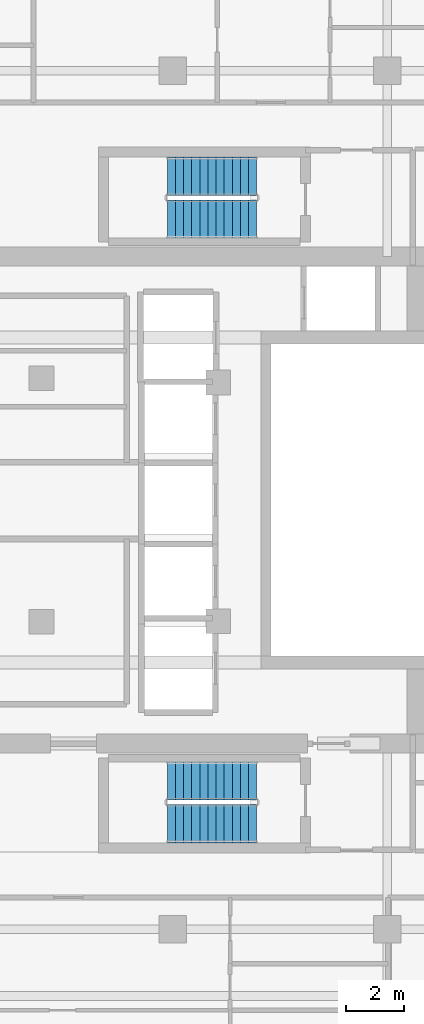
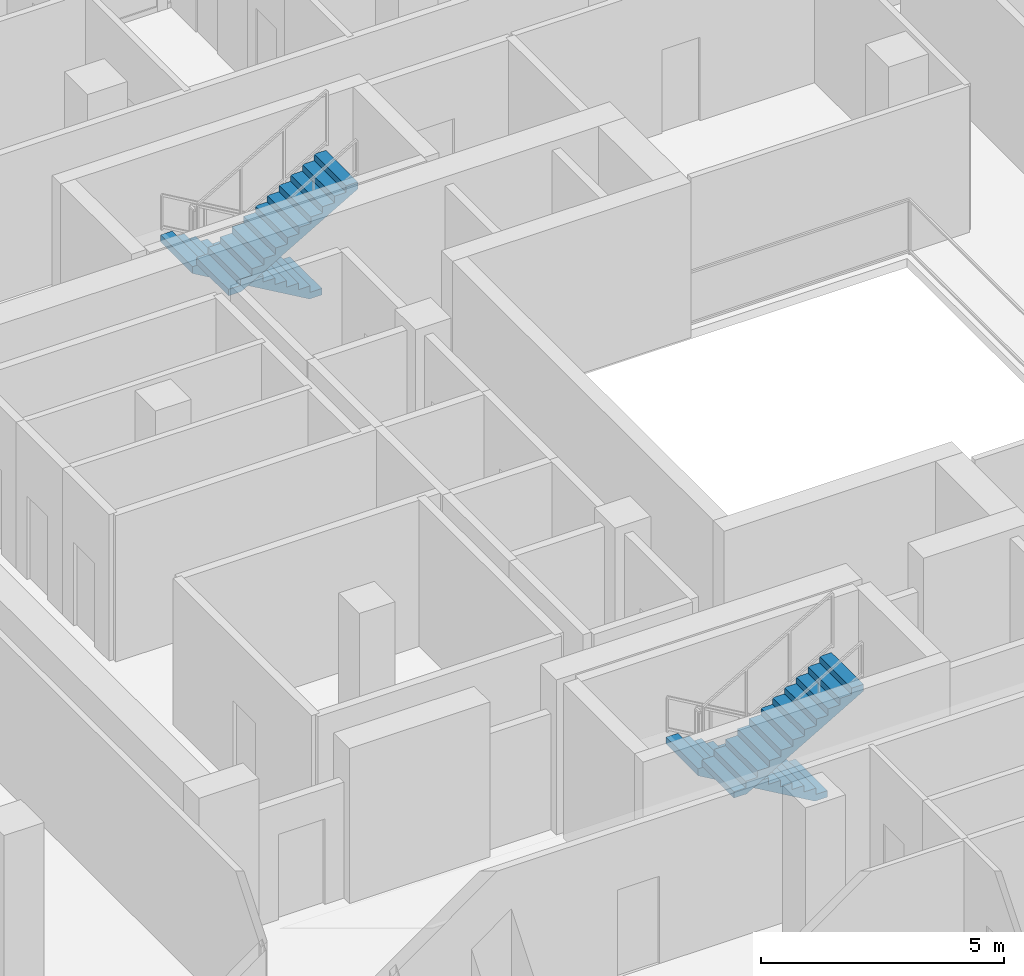
# One storey, part 20 of 23: 4 stair flights, 2 elements without a shape of their own.
"""IFC4 building model written with IfcOpenShell, lengths in metres."""

from ifc_helpers import new_model, si_unit, direction, frame, origin, place, context, subcontext, project, spatial, polyline, outline, extrude, material, type_object, element, aggregate, save


model = new_model("IFC4")

# Units and contexts
model_context = context("Model", 3, precision=1e-05, world=origin(), true_north=direction((0.0, 1.0)))
body_context = subcontext(model_context, "Body", "Model", "MODEL_VIEW")
ifc_project = project(units=[si_unit("LENGTHUNIT", "METRE"), si_unit("AREAUNIT", "SQUARE_METRE"), si_unit("VOLUMEUNIT", "CUBIC_METRE"), si_unit("PLANEANGLEUNIT", "RADIAN"), si_unit("MASSUNIT", "GRAM", prefix="KILO")], contexts=[model_context])

# Site, building, storey
site_placement = place(None, origin())
site = spatial("IfcSite", under=ifc_project, at=site_placement, CompositionType="ELEMENT")
building_placement = place(site_placement, origin())
building = spatial("IfcBuilding", under=site, at=building_placement, Name="Khorvyn Point Tower", CompositionType="ELEMENT")
storey_placement = place(building_placement, frame((0.0, 0.0, 258.60009765625)))
storey = spatial("IfcBuildingStorey", under=building, at=storey_placement, Name="L63", CompositionType="ELEMENT", Elevation=258.60009765625)

# Stair, stair flights
ifc_material = material(Name="Concrete C40/50", Category="concrete")
stair_type = type_object("IfcStairType", Name="Tower Concrete C40/50 Dogleg Exit Stair", PredefinedType="HALF_TURN_STAIR", material=ifc_material)
stair_1_placement = place(storey_placement, origin())
stair_1 = element("IfcStair", 1, at=stair_1_placement, inside=storey, type_object=stair_type, Name="L63 Tower Smokeproof Exit Stair South", PredefinedType="HALF_TURN_STAIR")
stair_flight_type = type_object("IfcStairFlightType", Name="Tower Concrete C40/50 Stair Flight", PredefinedType="STRAIGHT", material=ifc_material)
stair_flight_1_placement = place(storey_placement, frame((2.89990234375, -9.679931640625, 0.0), z_axis=(0.0, 0.0, 1.0), x_axis=(-1.0, 0.0, 0.0)))
stair_flight_1 = element("IfcStairFlight", 2, at=stair_flight_1_placement, type_object=stair_flight_type, Name="ST-01 flight 1", NumberOfRisers=12, NumberOfTreads=11, PredefinedType="STRAIGHT", RiserHeight=0.1625, TreadLength=0.28, context=body_context, shape_type="SweptSolid", body=[
    extrude(outline(polyline([(0.0, 0.0), (0.0, 0.16259765625), (0.280029296875, 0.16259765625), (0.280029296875, 0.324951171875), (0.56005859375, 0.324951171875), (0.56005859375, 0.487548828125), (0.840087890625, 0.487548828125), (0.840087890625, 0.64990234375), (1.1201171875, 0.64990234375), (1.1201171875, 0.8125), (1.39990234375, 0.8125), (1.39990234375, 0.97509765625), (1.679931640625, 0.97509765625), (1.679931640625, 1.137451171875), (1.9599609375, 1.137451171875), (1.9599609375, 1.300048828125), (2.239990234375, 1.300048828125), (2.239990234375, 1.46240234375), (2.52001953125, 1.46240234375), (2.52001953125, 1.625), (2.800048828125, 1.625), (2.800048828125, 1.78759765625), (3.080078125, 1.78759765625), (3.080078125, 1.949951171875), (3.080078125, 1.6142578125), (0.298583984375, 0.0), (0.0, 0.0)])), frame((0.0, 0.66015625, 0.0), z_axis=(0.0, -1.0, 0.0), x_axis=(1.0, 0.0, 0.0)), (0.0, 0.0, 1.0), 1.320068359375),
])
stair_flight_2_placement = place(storey_placement, frame((-0.179931640625, -11.159912109375, 1.949951171875), z_axis=(0.0, 0.0, 1.0), x_axis=(1.0, 0.0, 0.0)))
stair_flight_2 = element("IfcStairFlight", 3, at=stair_flight_2_placement, type_object=stair_flight_type, Name="ST-01 flight 2", NumberOfRisers=12, NumberOfTreads=11, PredefinedType="STRAIGHT", RiserHeight=0.1625, TreadLength=0.28, context=body_context, shape_type="SweptSolid", body=[
    extrude(outline(polyline([(0.0, 0.0), (0.0, 0.16259765625), (0.280029296875, 0.16259765625), (0.280029296875, 0.324951171875), (0.56005859375, 0.324951171875), (0.56005859375, 0.487548828125), (0.840087890625, 0.487548828125), (0.840087890625, 0.64990234375), (1.1201171875, 0.64990234375), (1.1201171875, 0.8125), (1.39990234375, 0.8125), (1.39990234375, 0.97509765625), (1.679931640625, 0.97509765625), (1.679931640625, 1.137451171875), (1.9599609375, 1.137451171875), (1.9599609375, 1.300048828125), (2.239990234375, 1.300048828125), (2.239990234375, 1.46240234375), (2.52001953125, 1.46240234375), (2.52001953125, 1.625), (2.800048828125, 1.625), (2.800048828125, 1.78759765625), (3.080078125, 1.78759765625), (3.080078125, 1.949951171875), (3.080078125, 1.6142578125), (0.298583984375, 0.0), (0.0, 0.0)])), frame((0.0, 0.66015625, 0.0), z_axis=(0.0, -1.0, 0.0), x_axis=(1.0, 0.0, 0.0)), (0.0, 0.0, 1.0), 1.320068359375),
])
aggregate(stair_1, [stair_flight_1, stair_flight_2])

stair_2_placement = place(storey_placement, origin())
stair_2 = element("IfcStair", 4, at=stair_2_placement, inside=storey, type_object=stair_type, Name="L63 Tower Smokeproof Exit Stair North", PredefinedType="HALF_TURN_STAIR")
stair_flight_3_placement = place(storey_placement, frame((2.89990234375, 11.159912109375, 0.0), z_axis=(0.0, 0.0, 1.0), x_axis=(-1.0, 0.0, 0.0)))
stair_flight_3 = element("IfcStairFlight", 5, at=stair_flight_3_placement, type_object=stair_flight_type, Name="ST-02 flight 1", NumberOfRisers=12, NumberOfTreads=11, PredefinedType="STRAIGHT", RiserHeight=0.1625, TreadLength=0.28, context=body_context, shape_type="SweptSolid", body=[
    extrude(outline(polyline([(0.0, 0.0), (0.0, 0.16259765625), (0.280029296875, 0.16259765625), (0.280029296875, 0.324951171875), (0.56005859375, 0.324951171875), (0.56005859375, 0.487548828125), (0.840087890625, 0.487548828125), (0.840087890625, 0.64990234375), (1.1201171875, 0.64990234375), (1.1201171875, 0.8125), (1.39990234375, 0.8125), (1.39990234375, 0.97509765625), (1.679931640625, 0.97509765625), (1.679931640625, 1.137451171875), (1.9599609375, 1.137451171875), (1.9599609375, 1.300048828125), (2.239990234375, 1.300048828125), (2.239990234375, 1.46240234375), (2.52001953125, 1.46240234375), (2.52001953125, 1.625), (2.800048828125, 1.625), (2.800048828125, 1.78759765625), (3.080078125, 1.78759765625), (3.080078125, 1.949951171875), (3.080078125, 1.6142578125), (0.298583984375, 0.0), (0.0, 0.0)])), frame((0.0, 0.66015625, 0.0), z_axis=(0.0, -1.0, 0.0), x_axis=(1.0, 0.0, 0.0)), (0.0, 0.0, 1.0), 1.320068359375),
])
stair_flight_4_placement = place(storey_placement, frame((-0.179931640625, 9.679931640625, 1.949951171875), z_axis=(0.0, 0.0, 1.0), x_axis=(1.0, 0.0, 0.0)))
stair_flight_4 = element("IfcStairFlight", 6, at=stair_flight_4_placement, type_object=stair_flight_type, Name="ST-02 flight 2", NumberOfRisers=12, NumberOfTreads=11, PredefinedType="STRAIGHT", RiserHeight=0.1625, TreadLength=0.28, context=body_context, shape_type="SweptSolid", body=[
    extrude(outline(polyline([(0.0, 0.0), (0.0, 0.16259765625), (0.280029296875, 0.16259765625), (0.280029296875, 0.324951171875), (0.56005859375, 0.324951171875), (0.56005859375, 0.487548828125), (0.840087890625, 0.487548828125), (0.840087890625, 0.64990234375), (1.1201171875, 0.64990234375), (1.1201171875, 0.8125), (1.39990234375, 0.8125), (1.39990234375, 0.97509765625), (1.679931640625, 0.97509765625), (1.679931640625, 1.137451171875), (1.9599609375, 1.137451171875), (1.9599609375, 1.300048828125), (2.239990234375, 1.300048828125), (2.239990234375, 1.46240234375), (2.52001953125, 1.46240234375), (2.52001953125, 1.625), (2.800048828125, 1.625), (2.800048828125, 1.78759765625), (3.080078125, 1.78759765625), (3.080078125, 1.949951171875), (3.080078125, 1.6142578125), (0.298583984375, 0.0), (0.0, 0.0)])), frame((0.0, 0.66015625, 0.0), z_axis=(0.0, -1.0, 0.0), x_axis=(1.0, 0.0, 0.0)), (0.0, 0.0, 1.0), 1.320068359375),
])
aggregate(stair_2, [stair_flight_3, stair_flight_4])

save(model, "model.ifc")
